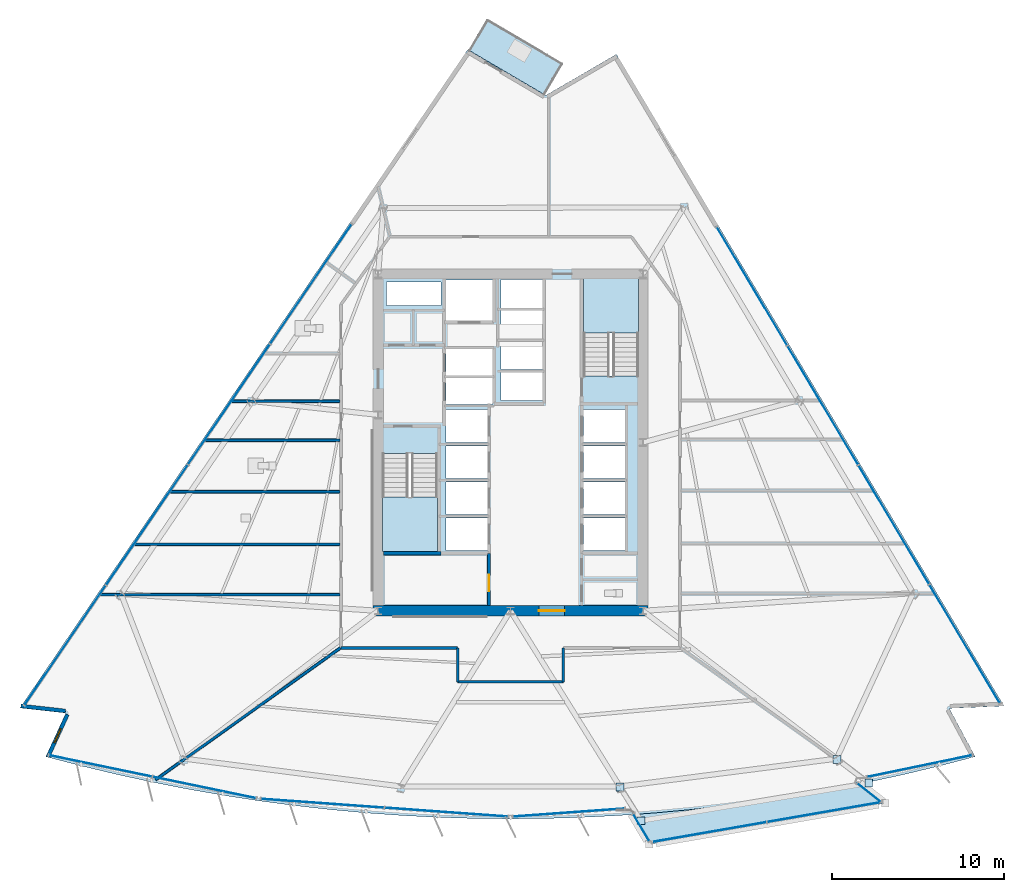
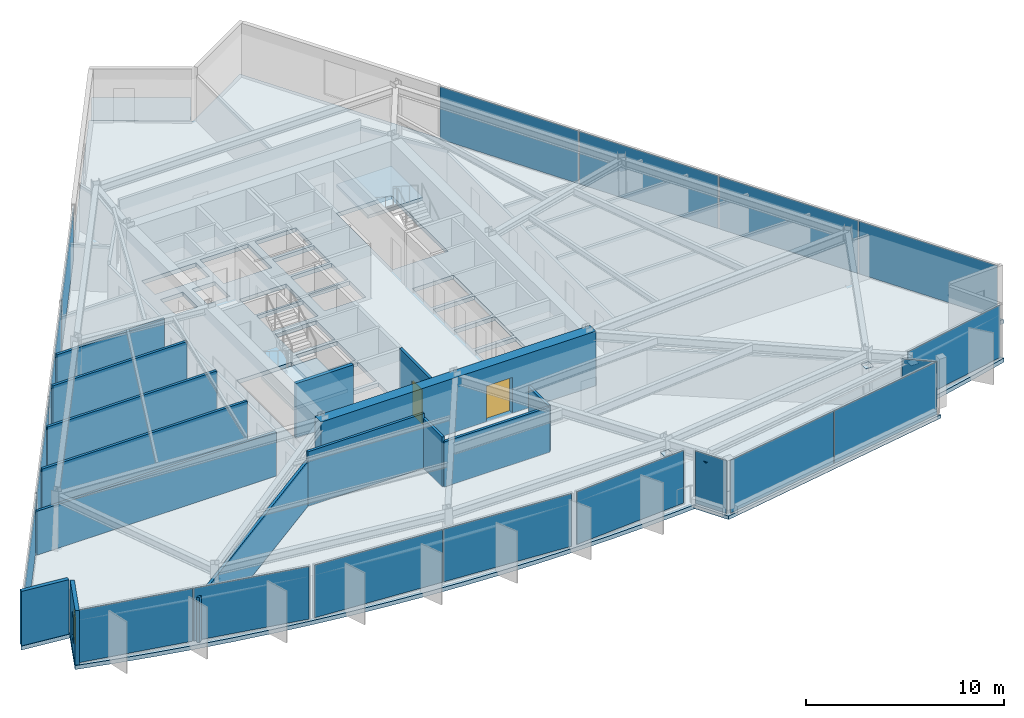
# One storey, part 7 of 15: 22 plates, 15 walls, 5 slabs, 2 doors, 1 window, 3 openings, 11 elements without a shape of their own.
"""IFC4 building model written with IfcOpenShell, lengths in metres."""

from ifc_helpers import new_model, si_unit, direction, frame, frame_2d, origin, origin_2d, place, context, subcontext, project, spatial, polyline, rectangle, outline, extrude, material, layer, layer_set, type_object, element, fill, aggregate, save


model = new_model("IFC4")

# Units and contexts
model_context = context("Model", 3, precision=1e-05, world=origin(), true_north=direction((0.0, 1.0)))
body_context = subcontext(model_context, "Body", "Model", "MODEL_VIEW")
ifc_project = project(units=[si_unit("LENGTHUNIT", "METRE"), si_unit("AREAUNIT", "SQUARE_METRE"), si_unit("VOLUMEUNIT", "CUBIC_METRE"), si_unit("PLANEANGLEUNIT", "RADIAN"), si_unit("MASSUNIT", "GRAM", prefix="KILO")], contexts=[model_context])

# Site, building, storey
site_placement = place(None, origin())
site = spatial("IfcSite", under=ifc_project, at=site_placement, CompositionType="ELEMENT")
building_placement = place(site_placement, origin())
building = spatial("IfcBuilding", under=site, at=building_placement, Name="Savorim Split Tower", CompositionType="ELEMENT")
storey_placement = place(building_placement, frame((0.0, 0.0, 93.300048828125)))
storey = spatial("IfcBuildingStorey", under=building, at=storey_placement, Name="L24", CompositionType="ELEMENT", Elevation=93.300048828125)

# Curtain wall, plates
ifc_material_1 = material(Name="Dark Ceramic-Fritted Insulated Glass", Category="glass")
curtain_wall_type_1 = type_object("IfcCurtainWallType", Name="CW-TWR-FRIT-A", PredefinedType="NOTDEFINED", material=ifc_material_1)
curtain_wall_1_placement = place(storey_placement, origin())
curtain_wall_1 = element("IfcCurtainWall", 1, at=curtain_wall_1_placement, inside=storey, type_object=curtain_wall_type_1, Name="L24 Curtain Wall CW-L24-SF1A", PredefinedType="NOTDEFINED")
ifc_layer_1 = layer(ifc_material_1, 0.028076171875)
ifc_layer_set_1 = layer_set([ifc_layer_1], Name="CWP-FRITA-28")
plate_type_1 = type_object("IfcPlateType", Name="CWP-FRITA-28", PredefinedType="CURTAIN_PANEL", material=ifc_layer_set_1)
plate_1_placement = place(storey_placement, frame((-23.858642578125, -18.420166015625, 0.05517578125), z_axis=(0.0, 0.0, 1.0), x_axis=(0.979134683898, -0.203212378529, 0.0)))
plate_1 = element("IfcPlate", 2, at=plate_1_placement, type_object=plate_type_1, Name="CW-02 panel 1.1", PredefinedType="CURTAIN_PANEL", context=body_context, shape_type="SweptSolid", body=[
    extrude(rectangle(XDim=6.112060546875, YDim=0.028076171875, at=origin_2d()), origin(), (0.0, 0.0, 1.0), 3.239990234375),
])
plate_2_placement = place(storey_placement, frame((-17.810546875, -19.675537109375, 0.05517578125), z_axis=(0.0, 0.0, 1.0), x_axis=(0.979134683898, -0.203212378529, 0.0)))
plate_2 = element("IfcPlate", 3, at=plate_2_placement, type_object=plate_type_1, Name="CW-02 panel 2.1", PredefinedType="CURTAIN_PANEL", context=body_context, shape_type="SweptSolid", body=[
    extrude(rectangle(XDim=6.112060546875, YDim=0.028076171875, at=origin_2d()), origin(), (0.0, 0.0, 1.0), 3.239990234375),
])
aggregate(curtain_wall_1, [plate_1, plate_2])

curtain_wall_2_placement = place(storey_placement, origin())
curtain_wall_2 = element("IfcCurtainWall", 4, at=curtain_wall_2_placement, inside=storey, type_object=curtain_wall_type_1, Name="L24 Curtain Wall CW-L24-SF2A", PredefinedType="NOTDEFINED")
plate_3_placement = place(storey_placement, frame((-10.936279296875, -20.595947265625, 0.05517578125), z_axis=(0.0, 0.0, 1.0), x_axis=(0.99743613418, -0.071562268211, 0.0)))
plate_3 = element("IfcPlate", 5, at=plate_3_placement, type_object=plate_type_1, Name="CW-02 panel 1.1", PredefinedType="CURTAIN_PANEL", context=body_context, shape_type="SweptSolid", body=[
    extrude(rectangle(XDim=7.161865234375, YDim=0.028076171875, at=origin_2d()), origin(), (0.0, 0.0, 1.0), 3.239990234375),
])
plate_4_placement = place(storey_placement, frame((-3.727783203125, -21.113037109375, 0.05517578125), z_axis=(0.0, 0.0, 1.0), x_axis=(0.99743613418, -0.071562268211, 0.0)))
plate_4 = element("IfcPlate", 6, at=plate_4_placement, type_object=plate_type_1, Name="CW-02 panel 2.1", PredefinedType="CURTAIN_PANEL", context=body_context, shape_type="SweptSolid", body=[
    extrude(rectangle(XDim=7.161865234375, YDim=0.028076171875, at=origin_2d()), origin(), (0.0, 0.0, 1.0), 3.239990234375),
])
aggregate(curtain_wall_2, [plate_3, plate_4])

# Curtain wall, plate
curtain_wall_3_placement = place(storey_placement, origin())
curtain_wall_3 = element("IfcCurtainWall", 7, at=curtain_wall_3_placement, inside=storey, type_object=curtain_wall_type_1, Name="L24 Curtain Wall CW-L24-SF3A", PredefinedType="NOTDEFINED")
plate_5_placement = place(storey_placement, frame((3.3857421875, -21.1376953125, 0.05517578125), z_axis=(0.0, 0.0, 1.0), x_axis=(0.997435673232, 0.071568692624, 0.0)))
plate_5 = element("IfcPlate", 8, at=plate_5_placement, type_object=plate_type_1, Name="CW-02 panel 1.1", PredefinedType="CURTAIN_PANEL", context=body_context, shape_type="SweptSolid", body=[
    extrude(rectangle(XDim=6.476318359375, YDim=0.028076171875, at=origin_2d()), origin(), (0.0, 0.0, 1.0), 3.239990234375),
])
aggregate(curtain_wall_3, [plate_5])

curtain_wall_4_placement = place(storey_placement, origin())
curtain_wall_4 = element("IfcCurtainWall", 9, at=curtain_wall_4_placement, inside=storey, type_object=curtain_wall_type_1, Name="L24 Curtain Wall CW-L24-SF4A", PredefinedType="NOTDEFINED")
plate_6_placement = place(storey_placement, frame((23.8056640625, -18.43115234375, 0.05517578125), z_axis=(0.0, 0.0, 1.0), x_axis=(0.979133423629, 0.20321845077, 0.0)))
plate_6 = element("IfcPlate", 10, at=plate_6_placement, type_object=plate_type_1, Name="CW-02 panel 1.1", PredefinedType="CURTAIN_PANEL", context=body_context, shape_type="SweptSolid", body=[
    extrude(rectangle(XDim=6.22021484375, YDim=0.028076171875, at=origin_2d()), origin(), (0.0, 0.0, 1.0), 3.239990234375),
])
aggregate(curtain_wall_4, [plate_6])

# Curtain wall, plates
curtain_wall_5_placement = place(storey_placement, origin())
curtain_wall_5 = element("IfcCurtainWall", 11, at=curtain_wall_5_placement, inside=storey, type_object=curtain_wall_type_1, Name="L24 Curtain Wall CW-L24-EAST", PredefinedType="NOTDEFINED")
plate_7_placement = place(storey_placement, frame((26.423583984375, -11.32275390625, 0.05517578125), z_axis=(0.0, 0.0, 1.0), x_axis=(-0.511094481315, 0.859524537852, 0.0)))
plate_7 = element("IfcPlate", 12, at=plate_7_placement, type_object=plate_type_1, Name="CW-02 panel 1.1", PredefinedType="CURTAIN_PANEL", context=body_context, shape_type="SweptSolid", body=[
    extrude(rectangle(XDim=7.983154296875, YDim=0.028076171875, at=origin_2d()), origin(), (0.0, 0.0, 1.0), 3.239990234375),
])
plate_8_placement = place(storey_placement, frame((22.3017578125, -4.39111328125, 0.05517578125), z_axis=(0.0, 0.0, 1.0), x_axis=(-0.511094481315, 0.859524537852, 0.0)))
plate_8 = element("IfcPlate", 13, at=plate_8_placement, type_object=plate_type_1, Name="CW-02 panel 2.1", PredefinedType="CURTAIN_PANEL", context=body_context, shape_type="SweptSolid", body=[
    extrude(rectangle(XDim=8.015625, YDim=0.028076171875, at=origin_2d()), origin(), (0.0, 0.0, 1.0), 3.239990234375),
])
plate_9_placement = place(storey_placement, frame((18.171630859375, 2.554443359375, 0.05517578125), z_axis=(0.0, 0.0, 1.0), x_axis=(-0.511094481315, 0.859524537852, 0.0)))
plate_9 = element("IfcPlate", 14, at=plate_9_placement, type_object=plate_type_1, Name="CW-02 panel 3.1", PredefinedType="CURTAIN_PANEL", context=body_context, shape_type="SweptSolid", body=[
    extrude(rectangle(XDim=8.015625, YDim=0.028076171875, at=origin_2d()), origin(), (0.0, 0.0, 1.0), 3.239990234375),
])
plate_10_placement = place(storey_placement, frame((14.050048828125, 9.486083984375, 0.05517578125), z_axis=(0.0, 0.0, 1.0), x_axis=(-0.511094481315, 0.859524537852, 0.0)))
plate_10 = element("IfcPlate", 15, at=plate_10_placement, type_object=plate_type_1, Name="CW-02 panel 4.1", PredefinedType="CURTAIN_PANEL", context=body_context, shape_type="SweptSolid", body=[
    extrude(rectangle(XDim=7.983154296875, YDim=0.028076171875, at=origin_2d()), origin(), (0.0, 0.0, 1.0), 3.239990234375),
])
aggregate(curtain_wall_5, [plate_7, plate_8, plate_9, plate_10])

curtain_wall_6_placement = place(storey_placement, origin())
curtain_wall_6 = element("IfcCurtainWall", 16, at=curtain_wall_6_placement, inside=storey, type_object=curtain_wall_type_1, Name="L24 Curtain Wall CW-L24-WEST", PredefinedType="NOTDEFINED")
plate_11_placement = place(storey_placement, frame((-11.61328125, 9.613525390625, 0.05517578125), z_axis=(0.0, 0.0, 1.0), x_axis=(-0.562467515846, -0.826819383915, 0.0)))
plate_11 = element("IfcPlate", 17, at=plate_11_placement, type_object=plate_type_1, Name="CW-02 panel 1.1", PredefinedType="CURTAIN_PANEL", context=body_context, shape_type="SweptSolid", body=[
    extrude(rectangle(XDim=8.39013671875, YDim=0.028076171875, at=origin_2d()), origin(), (0.0, 0.0, 1.0), 3.239990234375),
])
plate_12_placement = place(storey_placement, frame((-16.378173828125, 2.609375, 0.05517578125), z_axis=(0.0, 0.0, 1.0), x_axis=(-0.562467515846, -0.826819383915, 0.0)))
plate_12 = element("IfcPlate", 18, at=plate_12_placement, type_object=plate_type_1, Name="CW-02 panel 2.1", PredefinedType="CURTAIN_PANEL", context=body_context, shape_type="SweptSolid", body=[
    extrude(rectangle(XDim=8.422607421875, YDim=0.028076171875, at=origin_2d()), origin(), (0.0, 0.0, 1.0), 3.239990234375),
])
plate_13_placement = place(storey_placement, frame((-21.15234375, -4.408447265625, 0.05517578125), z_axis=(0.0, 0.0, 1.0), x_axis=(-0.562467515846, -0.826819383915, 0.0)))
plate_13 = element("IfcPlate", 19, at=plate_13_placement, type_object=plate_type_1, Name="CW-02 panel 3.1", PredefinedType="CURTAIN_PANEL", context=body_context, shape_type="SweptSolid", body=[
    extrude(rectangle(XDim=8.422607421875, YDim=0.028076171875, at=origin_2d()), origin(), (0.0, 0.0, 1.0), 3.239990234375),
])
plate_14_placement = place(storey_placement, frame((-25.917236328125, -11.412841796875, 0.05517578125), z_axis=(0.0, 0.0, 1.0), x_axis=(-0.562467515846, -0.826819383915, 0.0)))
plate_14 = element("IfcPlate", 20, at=plate_14_placement, type_object=plate_type_1, Name="CW-02 panel 4.1", PredefinedType="CURTAIN_PANEL", context=body_context, shape_type="SweptSolid", body=[
    extrude(rectangle(XDim=8.39013671875, YDim=0.028076171875, at=origin_2d()), origin(), (0.0, 0.0, 1.0), 3.239990234375),
])
aggregate(curtain_wall_6, [plate_11, plate_12, plate_13, plate_14])

curtain_wall_type_2 = type_object("IfcCurtainWallType", Name="CW-BAY-LOUNGE", PredefinedType="NOTDEFINED", material=ifc_material_1)
curtain_wall_7_placement = place(storey_placement, origin())
curtain_wall_7 = element("IfcCurtainWall", 21, at=curtain_wall_7_placement, inside=storey, type_object=curtain_wall_type_2, Name="L24 Curtain Wall CW-L24-BAYF", PredefinedType="NOTDEFINED")
ifc_material_2 = material(Name="Low-E Operable Double Glazing", Category="glass")
ifc_layer_2 = layer(ifc_material_2, 0.031982421875)
ifc_layer_set_2 = layer_set([ifc_layer_2], Name="CWP-POD-32")
plate_type_2 = type_object("IfcPlateType", Name="CWP-POD-32", PredefinedType="CURTAIN_PANEL", material=ifc_layer_set_2)
plate_15_placement = place(storey_placement, frame((11.56005859375, -22.2744140625, 0.05517578125), z_axis=(0.0, 0.0, 1.0), x_axis=(0.985237783322, 0.171191443463, 0.0)))
plate_15 = element("IfcPlate", 22, at=plate_15_placement, type_object=plate_type_2, Name="CW-04 panel 1.1", PredefinedType="CURTAIN_PANEL", context=body_context, shape_type="SweptSolid", body=[
    extrude(rectangle(XDim=6.75146484375, YDim=0.031982421875, at=origin_2d()), origin(), (0.0, 0.0, 1.0), 3.239990234375),
])
plate_16_placement = place(storey_placement, frame((18.27587890625, -21.107421875, 0.05517578125), z_axis=(0.0, 0.0, 1.0), x_axis=(0.985237783322, 0.171191443463, 0.0)))
plate_16 = element("IfcPlate", 23, at=plate_16_placement, type_object=plate_type_2, Name="CW-04 panel 2.1", PredefinedType="CURTAIN_PANEL", context=body_context, shape_type="SweptSolid", body=[
    extrude(rectangle(XDim=6.75146484375, YDim=0.031982421875, at=origin_2d()), origin(), (0.0, 0.0, 1.0), 3.239990234375),
])
aggregate(curtain_wall_7, [plate_15, plate_16])

# Curtain wall, plate
curtain_wall_8_placement = place(storey_placement, origin())
curtain_wall_8 = element("IfcCurtainWall", 24, at=curtain_wall_8_placement, inside=storey, type_object=curtain_wall_type_2, Name="L24 Curtain Wall CW-L24-BAYW", PredefinedType="NOTDEFINED")
plate_17_placement = place(storey_placement, frame((7.6083984375, -22.01171875, 0.05517578125), z_axis=(0.0, 0.0, 1.0), x_axis=(0.510761442098, -0.859722483867, 0.0)))
plate_17 = element("IfcPlate", 25, at=plate_17_placement, type_object=plate_type_2, Name="CW-04 panel 1.1", PredefinedType="CURTAIN_PANEL", context=body_context, shape_type="SweptSolid", body=[
    extrude(rectangle(XDim=1.81005859375, YDim=0.031982421875, at=origin_2d()), origin(), (0.0, 0.0, 1.0), 3.239990234375),
])
aggregate(curtain_wall_8, [plate_17])

curtain_wall_9_placement = place(storey_placement, origin())
curtain_wall_9 = element("IfcCurtainWall", 26, at=curtain_wall_9_placement, inside=storey, type_object=curtain_wall_type_2, Name="L24 Curtain Wall CW-L24-BAYE", PredefinedType="NOTDEFINED")
plate_18_placement = place(storey_placement, frame((20.85986328125, -19.976806640625, 0.05517578125), z_axis=(0.0, 0.0, 1.0), x_axis=(-0.783170949136, 0.621806452547, 0.0)))
plate_18 = element("IfcPlate", 27, at=plate_18_placement, type_object=plate_type_2, Name="CW-04 panel 1.1", PredefinedType="CURTAIN_PANEL", context=body_context, shape_type="SweptSolid", body=[
    extrude(rectangle(XDim=1.705078125, YDim=0.031982421875, at=origin_2d()), origin(), (0.0, 0.0, 1.0), 3.239990234375),
])
aggregate(curtain_wall_9, [plate_18])

# Plates
ifc_material_3 = material(Name="Steel S460", Category="steel")
ifc_layer_3 = layer(ifc_material_3, 0.02490234375)
ifc_layer_set_3 = layer_set([ifc_layer_3], Name="PLT-NODE-CN1")
plate_type_3 = type_object("IfcPlateType", Name="PLT-NODE-CN1", PredefinedType="SHEET", material=ifc_layer_set_3)
for number, where, z_axis, x_axis, name in (
    (28, (6.366943359375, -19.658935546875, 2.4375), (0.0, 0.0, 1.0), (1.0, 0.0, 0.0), "L24 Bay Strut Column Gusset Plate 1"),
    (29, (7.6005859375, -21.61376953125, 2.8076171875), (0.0, 0.0, 1.0), (1.0, 0.0, 0.0), "L24 Bay Strut Tip Gusset Plate 1"),
    (30, (18.996826171875, -18.037353515625, 2.4375), (0.0, 0.0, 1.0), (1.0, 0.0, 0.0), "L24 Bay Strut Column Gusset Plate 2"),
    (31, (20.841796875, -19.424072265625, 2.8076171875), (0.0, 0.0, 1.0), (1.0, 0.0, 0.0), "L24 Bay Strut Tip Gusset Plate 2"),
):
    element("IfcPlate", number, at=place(storey_placement, frame(where, z_axis=z_axis, x_axis=x_axis)), inside=storey, type_object=plate_type_3, Name=name, PredefinedType="SHEET", context=body_context, shape_type="SweptSolid", body=[
        extrude(rectangle(XDim=0.4599609375, YDim=0.4599609375, at=origin_2d()), origin(), (0.0, 0.0, 1.0), 0.02490234375),
    ])

# Slabs
ifc_material_4 = material(Name="Concrete C50/60", Category="concrete")
ifc_layer_4 = layer(ifc_material_4, 0.219970703125)
ifc_layer_set_4 = layer_set([ifc_layer_4], Name="SLB-BAL-220")
slab_type_1 = type_object("IfcSlabType", Name="SLB-BAL-220", PredefinedType="FLOOR", material=ifc_layer_set_4)
slab_1_placement = place(storey_placement, frame((0.0, 0.0, -0.219970703125)))
element("IfcSlab", 32, at=slab_1_placement, inside=storey, type_object=slab_type_1, Name="L24 Cantilevered Shared Kitchen Lounge Slab", PredefinedType="FLOOR", context=body_context, shape_type="SweptSolid", body=[
    extrude(outline(polyline([(20.368896484375, -19.459228515625), (18.83349609375, -19.76171875), (16.7607421875, -20.125732421875), (14.68115234375, -20.447509765625), (12.59521484375, -20.7265625), (10.504150390625, -20.962890625), (8.40869140625, -21.156494140625), (7.042236328125, -21.25439453125), (8.06884765625, -22.982666015625), (21.80126953125, -20.596435546875), (20.368896484375, -19.459228515625)])), origin(), (0.0, 0.0, 1.0), 0.219970703125),
])
slab_2_placement = place(storey_placement, frame((0.0, 0.0, -0.219970703125)))
element("IfcSlab", 33, at=slab_2_placement, inside=storey, type_object=slab_type_1, Name="L24 Notched Corner Planted Tree Balcony Slab", PredefinedType="FLOOR", context=body_context, shape_type="SweptSolid", body=[
    extrude(outline(polyline([(-2.377197265625, 23.191650390625), (1.94580078125, 20.650634765625), (2.98193359375, 22.413818359375), (-1.341064453125, 24.95458984375), (-2.377197265625, 23.191650390625)])), origin(), (0.0, 0.0, 1.0), 0.219970703125),
])

# Stair, slab
stair_type = type_object("IfcStairType", Name="STR-DOG-3600", PredefinedType="HALF_TURN_STAIR", material=ifc_material_4)
stair_1_placement = place(storey_placement, origin())
stair_1 = element("IfcStair", 34, at=stair_1_placement, inside=storey, type_object=stair_type, Name="L24 Core Protected Exit Stair ST-1", PredefinedType="HALF_TURN_STAIR")
ifc_layer_5 = layer(ifc_material_4, 0.199951171875)
ifc_layer_set_5 = layer_set([ifc_layer_5], Name="SLB-LND-200")
slab_type_2 = type_object("IfcSlabType", Name="SLB-LND-200", PredefinedType="LANDING", material=ifc_layer_set_5)
slab_3_placement = place(storey_placement, frame((0.0, 0.0, 1.599853515625)))
slab_3 = element("IfcSlab", 35, at=slab_3_placement, type_object=slab_type_2, Name="ST-1 landing 1", PredefinedType="LANDING", context=body_context, shape_type="SweptSolid", body=[
    extrude(outline(polyline([(-7.449951171875, -2.77001953125), (-7.449951171875, -5.949951171875), (-4.25, -5.949951171875), (-4.25, -2.77001953125), (-7.449951171875, -2.77001953125)])), origin(), (0.0, 0.0, 1.0), 0.2001953125),
])
aggregate(stair_1, [slab_3])

stair_2_placement = place(storey_placement, origin())
stair_2 = element("IfcStair", 36, at=stair_2_placement, inside=storey, type_object=stair_type, Name="L24 Core Protected Exit Stair ST-2", PredefinedType="HALF_TURN_STAIR")
slab_4_placement = place(storey_placement, frame((0.0, 0.0, 1.599853515625)))
slab_4 = element("IfcSlab", 37, at=slab_4_placement, type_object=slab_type_2, Name="ST-2 landing 1", PredefinedType="LANDING", context=body_context, shape_type="SweptSolid", body=[
    extrude(outline(polyline([(7.449951171875, 6.77001953125), (7.449951171875, 9.949951171875), (4.25, 9.949951171875), (4.25, 6.77001953125), (7.449951171875, 6.77001953125)])), origin(), (0.0, 0.0, 1.0), 0.2001953125),
])
aggregate(stair_2, [slab_4])

# Slab
ifc_layer_6 = layer(ifc_material_4, 0.25)
ifc_layer_set_6 = layer_set([ifc_layer_6], Name="SLB-TWR-250")
slab_type_3 = type_object("IfcSlabType", Name="SLB-TWR-250", PredefinedType="FLOOR", material=ifc_layer_set_6)
slab_5_placement = place(storey_placement, frame((0.0, 0.0, -0.25)))
element("IfcSlab", 38, at=slab_5_placement, inside=storey, type_object=slab_type_3, Name="L24 Structural Floor Slab", PredefinedType="FLOOR", context=body_context, shape_type="SweptSolid", body=[
    extrude(outline(polyline([(-27.036865234375, -17.88330078125), (-25.000732421875, -18.415771484375), (-22.954345703125, -18.90625), (-20.898193359375, -19.35498046875), (-18.83349609375, -19.76171875), (-16.7607421875, -20.125732421875), (-14.68115234375, -20.447509765625), (-12.59521484375, -20.7265625), (-10.504150390625, -20.962890625), (-8.40869140625, -21.156494140625), (-6.3095703125, -21.30712890625), (-4.207763671875, -21.414794921875), (-2.104248046875, -21.479248046875), (0.0, -21.500732421875), (2.104248046875, -21.479248046875), (4.207763671875, -21.414794921875), (6.3095703125, -21.30712890625), (8.40869140625, -21.156494140625), (10.504150390625, -20.962890625), (12.59521484375, -20.7265625), (14.68115234375, -20.447509765625), (16.7607421875, -20.125732421875), (18.83349609375, -19.76171875), (20.898193359375, -19.35498046875), (22.954345703125, -18.90625), (25.000732421875, -18.415771484375), (27.036865234375, -17.88330078125), (25.52880859375, -15.072998046875), (28.71240234375, -14.9375), (6.1630859375, 22.984619140625), (2.046875, 20.585693359375), (-2.4833984375, 23.248046875), (-28.536376953125, -15.049560546875), (-25.87158203125, -15.34716796875), (-27.036865234375, -17.88330078125)]), holes=[polyline([(-7.449951171875, -0.25390625), (-7.449951171875, -5.949951171875), (-4.25, -5.949951171875), (-4.25, -0.25390625), (-7.449951171875, -0.25390625)]), polyline([(7.449951171875, 4.25390625), (7.449951171875, 9.949951171875), (4.25, 9.949951171875), (4.25, 4.25390625), (7.449951171875, 4.25390625)]), polyline([(4.25, -5.89990234375), (6.64990234375, -5.89990234375), (6.64990234375, -4.0), (4.25, -4.0), (4.25, -5.89990234375)]), polyline([(4.25, -3.800048828125), (6.64990234375, -3.800048828125), (6.64990234375, -1.89990234375), (4.25, -1.89990234375), (4.25, -3.800048828125)]), polyline([(4.25, -1.699951171875), (6.64990234375, -1.699951171875), (6.64990234375, 0.199951171875), (4.25, 0.199951171875), (4.25, -1.699951171875)]), polyline([(4.25, 0.39990234375), (6.64990234375, 0.39990234375), (6.64990234375, 2.300048828125), (4.25, 2.300048828125), (4.25, 0.39990234375)]), polyline([(-3.75, -5.89990234375), (-1.35009765625, -5.89990234375), (-1.35009765625, -4.0), (-3.75, -4.0), (-3.75, -5.89990234375)]), polyline([(-3.75, -3.800048828125), (-1.35009765625, -3.800048828125), (-1.35009765625, -1.89990234375), (-3.75, -1.89990234375), (-3.75, -3.800048828125)]), polyline([(-3.75, -1.699951171875), (-1.35009765625, -1.699951171875), (-1.35009765625, 0.199951171875), (-3.75, 0.199951171875), (-3.75, -1.699951171875)]), polyline([(-3.75, 0.39990234375), (-1.35009765625, 0.39990234375), (-1.35009765625, 2.300048828125), (-3.75, 2.300048828125), (-3.75, 0.39990234375)]), polyline([(-0.550048828125, 2.830078125), (1.85009765625, 2.830078125), (1.85009765625, 4.469970703125), (-0.550048828125, 4.469970703125), (-0.550048828125, 2.830078125)]), polyline([(-0.550048828125, 4.6298828125), (1.85009765625, 4.6298828125), (1.85009765625, 6.27001953125), (-0.550048828125, 6.27001953125), (-0.550048828125, 4.6298828125)]), polyline([(-0.550048828125, 6.429931640625), (1.85009765625, 6.429931640625), (1.85009765625, 8.070068359375), (-0.550048828125, 8.070068359375), (-0.550048828125, 6.429931640625)]), polyline([(-0.550048828125, 8.22998046875), (1.85009765625, 8.22998046875), (1.85009765625, 9.8701171875), (-0.550048828125, 9.8701171875), (-0.550048828125, 8.22998046875)]), polyline([(-3.75, 2.60009765625), (-1.050048828125, 2.60009765625), (-1.050048828125, 4.159912109375), (-3.75, 4.159912109375), (-3.75, 2.60009765625)]), polyline([(-3.75, 4.280029296875), (-1.050048828125, 4.280029296875), (-1.050048828125, 5.840087890625), (-3.75, 5.840087890625), (-3.75, 4.280029296875)]), polyline([(-3.75, 7.449951171875), (-0.949951171875, 7.449951171875), (-0.949951171875, 9.85009765625), (-3.75, 9.85009765625), (-3.75, 7.449951171875)]), polyline([(-7.219970703125, 6.320068359375), (-5.919921875, 6.320068359375), (-5.919921875, 7.820068359375), (-7.219970703125, 7.820068359375), (-7.219970703125, 6.320068359375)]), polyline([(-5.3798828125, 6.320068359375), (-4.050048828125, 6.320068359375), (-4.050048828125, 7.820068359375), (-5.3798828125, 7.820068359375), (-5.3798828125, 6.320068359375)]), polyline([(-7.219970703125, 8.360107421875), (-4.050048828125, 8.360107421875), (-4.050048828125, 9.719970703125), (-7.219970703125, 9.719970703125), (-7.219970703125, 8.360107421875)])]), origin(), (0.0, 0.0, 1.0), 0.25),
])

# Wall, opening, door
ifc_material_5 = material(Name="Concrete C60/75", Category="concrete")
ifc_layer_7 = layer(ifc_material_5, 0.60009765625)
ifc_layer_set_7 = layer_set([ifc_layer_7], Name="WAL-COR-SH600")
wall_type_1 = type_object("IfcWallType", Name="WAL-COR-SH600", PredefinedType="SHEAR", material=ifc_layer_set_7)
wall_1_placement = place(storey_placement, frame((-8.0, -9.39990234375, 0.0), z_axis=(0.0, 0.0, 1.0), x_axis=(1.0, 0.0, 0.0)))
wall_1 = element("IfcWall", 39, at=wall_1_placement, inside=storey, type_object=wall_type_1, Name="L24 Offset Core South Shear Wall", PredefinedType="SHEAR", context=body_context, shape_type="SweptSolid", body=[
    extrude(rectangle(XDim=16.0, YDim=0.60009765625, at=frame_2d((8.0, 0.0))), origin(), (0.0, 0.0, 1.0), 3.349853515625),
])
opening_1_placement = place(wall_1_placement, frame((9.64990234375, 0.0, 0.0)))
opening_1 = element("IfcOpeningElement", 40, at=opening_1_placement, cuts=wall_1, Name="Opening DI-02", PredefinedType="OPENING", context=body_context, shape_type="SweptSolid", body=[
    extrude(rectangle(XDim=1.5, YDim=2.199951171875, at=frame_2d((0.75, 1.10009765625))), frame((0.0, 0.31005859375, 0.0), z_axis=(0.0, -1.0, 0.0), x_axis=(1.0, 0.0, 0.0)), (0.0, 0.0, 1.0), 0.6201171875),
])
ifc_material_6 = material(Name="Timber Fire Door Leaf", Category="wood")
door_type_1 = type_object("IfcDoorType", Name="DOR-DBL-1500", OperationType="NOTDEFINED", PredefinedType="DOOR", material=ifc_material_6)
door_1_placement = place(opening_1_placement, origin())
door_1 = element("IfcDoor", 41, at=door_1_placement, inside=storey, type_object=door_type_1, Name="DOR-L24-COR-LLOB - L24 Lift Lobby Main Rated Door", OperationType="DOUBLE_DOOR_SINGLE_SWING", OverallHeight=2.199951171875, OverallWidth=1.5, PredefinedType="DOOR", context=body_context, shape_type="SweptSolid", body=[
    extrude(rectangle(XDim=1.5, YDim=2.199951171875, at=frame_2d((0.75, 1.10009765625))), frame((0.0, 0.02490234375, 0.0), z_axis=(0.0, -1.0, 0.0), x_axis=(1.0, 0.0, 0.0)), (0.0, 0.0, 1.0), 0.050048828125),
])
fill(opening_1, door_1)

# Wall
ifc_material_7 = material(Name="Precast concrete C40/50", Category="concrete")
ifc_layer_8 = layer(ifc_material_7, 0.219970703125)
ifc_layer_set_8 = layer_set([ifc_layer_8], Name="WAL-EXT-CRN220")
wall_type_2 = type_object("IfcWallType", Name="WAL-EXT-CRN220", PredefinedType="SOLIDWALL", material=ifc_layer_set_8)
wall_2_placement = place(storey_placement, frame((-25.89794921875, -15.223388671875, 0.0), z_axis=(0.0, 0.0, 1.0), x_axis=(-0.993827522589, 0.110936267041, 0.0)))
element("IfcWall", 42, at=wall_2_placement, inside=storey, type_object=wall_type_2, Name="L24 Notched Corner Facade Wall SW1", PredefinedType="SOLIDWALL", context=body_context, shape_type="SweptSolid", body=[
    extrude(rectangle(XDim=2.601318359375, YDim=0.219970703125, at=frame_2d((1.30078125, 0.0))), origin(), (0.0, 0.0, 1.0), 3.349853515625),
])

# Wall, opening, window
wall_3_placement = place(storey_placement, frame((-26.9111328125, -17.89697265625, 0.0), z_axis=(0.0, 0.0, 1.0), x_axis=(0.417504190978, 0.908674997189, 0.0)))
wall_3 = element("IfcWall", 43, at=wall_3_placement, inside=storey, type_object=wall_type_2, Name="L24 Notched Corner Facade Wall SW", PredefinedType="SOLIDWALL", context=body_context, shape_type="SweptSolid", body=[
    extrude(rectangle(XDim=2.7109375, YDim=0.219970703125, at=frame_2d((1.35546875, 0.0))), origin(), (0.0, 0.0, 1.0), 3.349853515625),
])
opening_2_placement = place(wall_3_placement, frame((0.905517578125, 0.0, 0.6201171875)))
opening_2 = element("IfcOpeningElement", 44, at=opening_2_placement, cuts=wall_3, Name="Opening WN-10", PredefinedType="OPENING", context=body_context, shape_type="SweptSolid", body=[
    extrude(rectangle(XDim=0.89990234375, YDim=1.60009765625, at=frame_2d((0.449951171875, 0.800048828125))), frame((0.0, 0.119873046875, 0.0), z_axis=(0.0, -1.0, 0.0), x_axis=(1.0, 0.0, 0.0)), (0.0, 0.0, 1.0), 0.239990234375),
])
window_type = type_object("IfcWindowType", Name="WIN-TWR-900x1600", PartitioningType="SINGLE_PANEL", PredefinedType="WINDOW", material=ifc_material_2)
window_placement = place(opening_2_placement, origin())
window = element("IfcWindow", 45, at=window_placement, inside=storey, type_object=window_type, Name="L24 Operable Corner Window SW", OverallHeight=1.60009765625, OverallWidth=0.89990234375, PartitioningType="SINGLE_PANEL", PredefinedType="WINDOW", context=body_context, shape_type="SweptSolid", body=[
    extrude(rectangle(XDim=0.89990234375, YDim=1.60009765625, at=frame_2d((0.449951171875, 0.800048828125))), frame((0.0, 0.030029296875, 0.0), z_axis=(0.0, -1.0, 0.0), x_axis=(1.0, 0.0, 0.0)), (0.0, 0.0, 1.0), 0.06005859375),
])
fill(opening_2, window)

# Wall
ifc_layer_9 = layer(ifc_material_4, 0.199951171875)
ifc_layer_set_9 = layer_set([ifc_layer_9], Name="WAL-INT-RC200")
wall_type_3 = type_object("IfcWallType", Name="WAL-INT-RC200", PredefinedType="SOLIDWALL", material=ifc_layer_set_9)
wall_4_placement = place(storey_placement, frame((-7.39990234375, -6.050048828125, 0.0), z_axis=(0.0, 0.0, 1.0), x_axis=(1.0, 0.0, 0.0)))
element("IfcWall", 46, at=wall_4_placement, inside=storey, type_object=wall_type_3, Name="L24 Structural Shaft Wall W-L24-KSEP-W", PredefinedType="SOLIDWALL", context=body_context, shape_type="SweptSolid", body=[
    extrude(rectangle(XDim=3.349853515625, YDim=0.199951171875, at=frame_2d((1.6748046875, 0.0))), origin(), (0.0, 0.0, 1.0), 3.349853515625),
])

# Wall, opening, door
ifc_material_8 = material(Name="Acoustic Gypsum Partition Board")
ifc_layer_10 = layer(ifc_material_8, 0.14990234375)
ifc_layer_set_10 = layer_set([ifc_layer_10], Name="WAL-PAR-150")
wall_type_4 = type_object("IfcWallType", Name="WAL-PAR-150", PredefinedType="PARTITIONING", material=ifc_layer_set_10)
wall_5_placement = place(storey_placement, frame((-1.25, -9.094970703125, 0.0), z_axis=(0.0, 0.0, 1.0), x_axis=(0.0, 1.0, 0.0)))
wall_5 = element("IfcWall", 47, at=wall_5_placement, inside=storey, type_object=wall_type_4, Name="L24 Partition W-L24-KLOB-W", PredefinedType="PARTITIONING", context=body_context, shape_type="SweptSolid", body=[
    extrude(rectangle(XDim=3.044921875, YDim=0.14990234375, at=frame_2d((1.5224609375, 0.0))), origin(), (0.0, 0.0, 1.0), 3.349853515625),
])
opening_3_placement = place(wall_5_placement, frame((0.844970703125, 0.0, 0.0)))
opening_3 = element("IfcOpeningElement", 48, at=opening_3_placement, cuts=wall_5, Name="Opening DI-05", PredefinedType="OPENING", context=body_context, shape_type="SweptSolid", body=[
    extrude(rectangle(XDim=0.949951171875, YDim=2.10009765625, at=frame_2d((0.47509765625, 1.050048828125))), frame((0.0, 0.0849609375, 0.0), z_axis=(0.0, -1.0, 0.0), x_axis=(1.0, 0.0, 0.0)), (0.0, 0.0, 1.0), 0.169921875),
])
door_type_2 = type_object("IfcDoorType", Name="DOR-FIR-950", OperationType="NOTDEFINED", PredefinedType="DOOR", material=ifc_material_6)
door_2_placement = place(opening_3_placement, origin())
door_2 = element("IfcDoor", 49, at=door_2_placement, inside=storey, type_object=door_type_2, Name="DR-L24-K3LIN - L24 Housekeeping Store Door", OperationType="SINGLE_SWING_LEFT", OverallHeight=2.10009765625, OverallWidth=0.949951171875, PredefinedType="DOOR", context=body_context, shape_type="SweptSolid", body=[
    extrude(rectangle(XDim=0.949951171875, YDim=2.10009765625, at=frame_2d((0.47509765625, 1.050048828125))), frame((0.0, 0.02490234375, 0.0), z_axis=(0.0, -1.0, 0.0), x_axis=(1.0, 0.0, 0.0)), (0.0, 0.0, 1.0), 0.050048828125),
])
fill(opening_3, door_2)

# Walls
wall_6_placement = place(storey_placement, frame((3.080078125, -11.56005859375, 0.0), z_axis=(0.0, 0.0, 1.0), x_axis=(0.0, -1.0, 0.0)))
element("IfcWall", 50, at=wall_6_placement, inside=storey, type_object=wall_type_4, Name="L24 Partition W-L24-COR-07", PredefinedType="PARTITIONING", context=body_context, shape_type="SweptSolid", body=[
    extrude(rectangle(XDim=1.969970703125, YDim=0.14990234375, at=frame_2d((0.98486328125, 0.0))), origin(), (0.0, 0.0, 1.0), 2.824951171875),
])
wall_7_placement = place(storey_placement, frame((3.080078125, -13.530029296875, 0.0), z_axis=(0.0, 0.0, 1.0), x_axis=(-1.0, 0.0, 0.0)))
element("IfcWall", 51, at=wall_7_placement, inside=storey, type_object=wall_type_4, Name="L24 Partition W-L24-COR-08", PredefinedType="PARTITIONING", context=body_context, shape_type="SweptSolid", body=[
    extrude(rectangle(XDim=6.16015625, YDim=0.14990234375, at=frame_2d((3.080078125, 0.0))), origin(), (0.0, 0.0, 1.0), 2.77490234375),
])
wall_8_placement = place(storey_placement, frame((-3.080078125, -13.530029296875, 0.0), z_axis=(0.0, 0.0, 1.0), x_axis=(0.0, 1.0, 0.0)))
element("IfcWall", 52, at=wall_8_placement, inside=storey, type_object=wall_type_4, Name="L24 Partition W-L24-COR-09", PredefinedType="PARTITIONING", context=body_context, shape_type="SweptSolid", body=[
    extrude(rectangle(XDim=1.969970703125, YDim=0.14990234375, at=frame_2d((0.98486328125, 0.0))), origin(), (0.0, 0.0, 1.0), 3.054931640625),
])
wall_9_placement = place(storey_placement, frame((-3.080078125, -11.56005859375, 0.0), z_axis=(0.0, 0.0, 1.0), x_axis=(-1.0, 0.0, 0.0)))
element("IfcWall", 53, at=wall_9_placement, inside=storey, type_object=wall_type_4, Name="L24 Partition W-L24-COR-10", PredefinedType="PARTITIONING", context=body_context, shape_type="SweptSolid", body=[
    extrude(rectangle(XDim=6.780029296875, YDim=0.14990234375, at=frame_2d((3.39013671875, 0.0))), origin(), (0.0, 0.0, 1.0), 3.349853515625),
])
wall_10_placement = place(storey_placement, frame((-9.896240234375, -11.5576171875, 0.0), z_axis=(0.0, 0.0, 1.0), x_axis=(-0.81409664299, -0.580729417089, 0.0)))
element("IfcWall", 54, at=wall_10_placement, inside=storey, type_object=wall_type_4, Name="L24 Partition W-L24-PRAD01", PredefinedType="PARTITIONING", context=body_context, shape_type="SweptSolid", body=[
    extrude(rectangle(XDim=13.2119140625, YDim=0.14990234375, at=frame_2d((6.60595703125, 0.0))), origin(), (0.0, 0.0, 1.0), 2.77490234375),
])
wall_11_placement = place(storey_placement, frame((-9.919921875, 2.7890625, 0.0), z_axis=(0.0, 0.0, 1.0), x_axis=(-1.0, 0.0, 0.0)))
element("IfcWall", 55, at=wall_11_placement, inside=storey, type_object=wall_type_4, Name="L24 Partition W-L24-PRAD09", PredefinedType="PARTITIONING", context=body_context, shape_type="SweptSolid", body=[
    extrude(rectangle(XDim=6.275634765625, YDim=0.14990234375, at=frame_2d((3.1376953125, 0.0))), origin(), (0.0, 0.0, 1.0), 2.8349609375),
])
wall_12_placement = place(storey_placement, frame((-9.919921875, -8.4541015625, 0.0), z_axis=(0.0, 0.0, 1.0), x_axis=(-1.0, 0.0, 0.0)))
element("IfcWall", 56, at=wall_12_placement, inside=storey, type_object=wall_type_4, Name="L24 Partition W-L24-PRAD10", PredefinedType="PARTITIONING", context=body_context, shape_type="SweptSolid", body=[
    extrude(rectangle(XDim=13.924072265625, YDim=0.14990234375, at=frame_2d((6.9619140625, 0.0))), origin(), (0.0, 0.0, 1.0), 2.704833984375),
])
wall_13_placement = place(storey_placement, frame((-9.919921875, -2.466796875, 0.0), z_axis=(0.0, 0.0, 1.0), x_axis=(-1.0, 0.0, 0.0)))
element("IfcWall", 57, at=wall_13_placement, inside=storey, type_object=wall_type_4, Name="L24 Partition W-L24-SUB01", PredefinedType="PARTITIONING", context=body_context, shape_type="SweptSolid", body=[
    extrude(rectangle(XDim=9.85107421875, YDim=0.14990234375, at=frame_2d((4.925537109375, 0.0))), origin(), (0.0, 0.0, 1.0), 2.8349609375),
])
wall_14_placement = place(storey_placement, frame((-9.919921875, 0.526611328125, 0.0), z_axis=(0.0, 0.0, 1.0), x_axis=(-1.0, 0.0, 0.0)))
element("IfcWall", 58, at=wall_14_placement, inside=storey, type_object=wall_type_4, Name="L24 Partition W-L24-SUB04", PredefinedType="PARTITIONING", context=body_context, shape_type="SweptSolid", body=[
    extrude(rectangle(XDim=7.814697265625, YDim=0.14990234375, at=frame_2d((3.9072265625, 0.0))), origin(), (0.0, 0.0, 1.0), 2.8349609375),
])
wall_15_placement = place(storey_placement, frame((-9.919921875, -5.535888671875, 0.0), z_axis=(0.0, 0.0, 1.0), x_axis=(-1.0, 0.0, 0.0)))
element("IfcWall", 59, at=wall_15_placement, inside=storey, type_object=wall_type_4, Name="L24 Partition W-L24-SUB05", PredefinedType="PARTITIONING", context=body_context, shape_type="SweptSolid", body=[
    extrude(rectangle(XDim=11.93896484375, YDim=0.14990234375, at=frame_2d((5.969482421875, 0.0))), origin(), (0.0, 0.0, 1.0), 2.8349609375),
])

save(model, "model.ifc")
